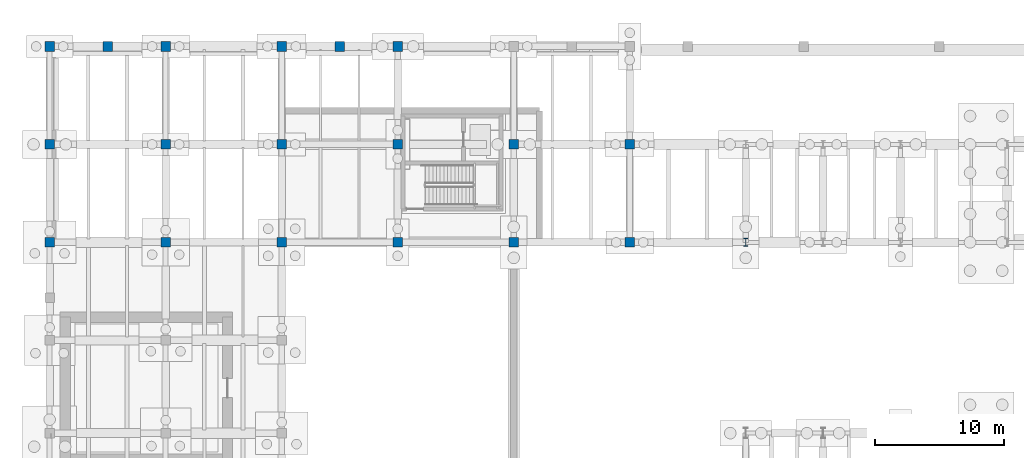
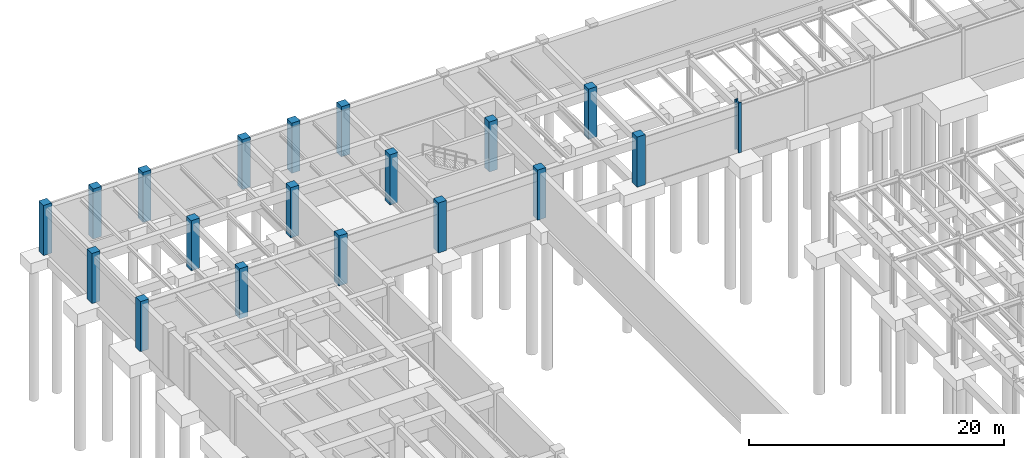
# One storey, part 22 of 59: 19 columns.
"""IFC4 building model written with IfcOpenShell, lengths in metres."""

import ifcopenshell
import ifcopenshell.guid

model = None  # the IFC model being written
_history = None  # IfcOwnerHistory: only IFC2X3 demands one
_inside = {}  # id of a spatial element -> (the spatial element, [elements in it])
_under = {}  # id of a project, library or spatial element -> (it, [spatial elements below it])
_declared = {}  # id of a project -> (the project, [libraries it declares])
_typed = {}  # id of a type object -> (the type object, [elements of that type])
_made_of = {}  # id of a material, layer set ... -> (it, [elements and type objects made of it])


def new_model(schema):
    """Start an empty IFC model of exactly this schema.

    Asked for "IFC4X3", IfcOpenShell would pick the latest addendum, in which some entities
    have other attributes; the version numbers below select the first issue.
    IFC2X3 requires an IfcOwnerHistory on every rooted entity: one is made here for all.
    """
    global model, _history
    if schema == "IFC4X3":
        model = ifcopenshell.file(schema_version=(4, 3, 0, 0))
    else:
        model = ifcopenshell.file(schema=schema)
    _inside.clear()
    _under.clear()
    _declared.clear()
    _typed.clear()
    _made_of.clear()
    _history = None
    if model.schema == "IFC2X3":
        org = make("IfcOrganization", Name="unknown")
        user = make(
            "IfcPersonAndOrganization",
            ThePerson=make("IfcPerson", FamilyName="unknown"),
            TheOrganization=org,
        )
        app = make(
            "IfcApplication",
            ApplicationDeveloper=org,
            Version="unknown",
            ApplicationFullName="unknown",
            ApplicationIdentifier="unknown",
        )
        _history = make(
            "IfcOwnerHistory",
            OwningUser=user,
            OwningApplication=app,
            ChangeAction="ADDED",
            CreationDate=0,
        )
    return model


def make(cls, **values):
    """One entity of the class cls with the attributes given. An attribute that is None is left unset."""
    return model.create_entity(
        cls, **{name: value for name, value in values.items() if value is not None}
    )


def rooted(cls, **values):
    """An entity with a GlobalId (a new one), such as an element, a storey or a relation."""
    return make(cls, GlobalId=ifcopenshell.guid.new(), OwnerHistory=_history, **values)


def si_unit(unit_type, name, prefix=None):
    """IfcSIUnit, for example si_unit("LENGTHUNIT", "METRE", prefix="MILLI")."""
    return make("IfcSIUnit", UnitType=unit_type, Prefix=prefix, Name=name)


def assignment(units):
    """IfcUnitAssignment: the units of a project."""
    return None if units is None else make("IfcUnitAssignment", Units=units)


def point(xyz):
    """IfcCartesianPoint."""
    return None if xyz is None else make("IfcCartesianPoint", Coordinates=xyz)


def direction(xyz):
    """IfcDirection."""
    return None if xyz is None else make("IfcDirection", DirectionRatios=xyz)


def frame(location, z_axis=None, x_axis=None):
    """IfcAxis2Placement3D, a coordinate frame: its origin and axes. An axis left out is left unset."""
    return make(
        "IfcAxis2Placement3D",
        Location=point(location),
        Axis=direction(z_axis),
        RefDirection=direction(x_axis),
    )


def frame_2d(location, x_axis=None):
    """IfcAxis2Placement2D, a coordinate frame in the plane: its origin and x axis."""
    return make(
        "IfcAxis2Placement2D", Location=point(location), RefDirection=direction(x_axis)
    )


def origin():
    """The frame at (0, 0, 0) with its axes left unset."""
    return frame((0.0, 0.0, 0.0))


def origin_2d():
    """The frame at (0, 0) in the plane with its x axis left unset."""
    return frame_2d((0.0, 0.0))


def place(relative_to, where):
    """IfcLocalPlacement: puts the frame where relative to a parent placement (None: the world)."""
    return make(
        "IfcLocalPlacement", PlacementRelTo=relative_to, RelativePlacement=where
    )


def context(
    kind, dimensions, precision=None, world=None, true_north=None, identifier=None
):
    """IfcGeometricRepresentationContext, for example the 3D "Model" context."""
    return make(
        "IfcGeometricRepresentationContext",
        ContextIdentifier=identifier,
        ContextType=kind,
        CoordinateSpaceDimension=dimensions,
        Precision=precision,
        WorldCoordinateSystem=world,
        TrueNorth=true_north,
    )


def subcontext(parent, identifier, kind, view, scale=None):
    """IfcGeometricRepresentationSubContext, for example "Body" below "Model"."""
    return make(
        "IfcGeometricRepresentationSubContext",
        ContextIdentifier=identifier,
        ContextType=kind,
        ParentContext=parent,
        TargetScale=scale,
        TargetView=view,
    )


def project(units=None, contexts=None):
    """IfcProject with its units and contexts."""
    return rooted(
        "IfcProject",
        Name="project",
        RepresentationContexts=contexts,
        UnitsInContext=assignment(units),
    )


def spatial(cls, under=None, at=None, **own):
    """A site, building, storey or space (cls), placed at a placement, below another one or the project."""
    s = rooted(cls, ObjectPlacement=at, **own)
    if under is not None:
        _under.setdefault(under.id(), (under, []))[1].append(s)
    return s


def profile(cls, at=None, kind="AREA", **sizes):
    """A parametric profile (cls). Its sizes go by their IFC names, for example OverallWidth=200.0."""
    return make(cls, ProfileType=kind, Position=at, **sizes)


def rectangle(**sizes):
    """IfcRectangleProfileDef."""
    return profile("IfcRectangleProfileDef", **sizes)


def i_section(**sizes):
    """IfcIShapeProfileDef."""
    return profile("IfcIShapeProfileDef", **sizes)


def extrude(swept, where, along, depth):
    """IfcExtrudedAreaSolid: the profile swept, set in the frame where, extruded along a direction by depth."""
    return make(
        "IfcExtrudedAreaSolid",
        SweptArea=swept,
        Position=where,
        ExtrudedDirection=direction(along),
        Depth=depth,
    )


def shape(context_of_items, identifier, shape_type, items):
    """IfcShapeRepresentation: the items that make up one representation, for example the "Body"."""
    return make(
        "IfcShapeRepresentation",
        ContextOfItems=context_of_items,
        RepresentationIdentifier=identifier,
        RepresentationType=shape_type,
        Items=items,
    )


def material(Name=None, Category=None):
    """IfcMaterial."""
    return make("IfcMaterial", Name=Name, Category=Category)


def material_profile(
    of_material, cross_section, Name=None, Category=None, Priority=None
):
    """IfcMaterialProfile: a cross section and its material."""
    return make(
        "IfcMaterialProfile",
        Name=Name,
        Material=of_material,
        Profile=cross_section,
        Priority=Priority,
        Category=Category,
    )


def profile_set(profiles, Name=None, composite=None):
    """IfcMaterialProfileSet."""
    return make(
        "IfcMaterialProfileSet",
        Name=Name,
        MaterialProfiles=profiles,
        CompositeProfile=composite,
    )


def made_of(thing, what):
    """Note that an element or type object is made of a material, layer set ...; save() writes the relation."""
    if what is not None:
        _made_of.setdefault(what.id(), (what, []))[1].append(thing)
    return thing


def type_object(cls, material=None, **own):
    """A type object (cls), such as IfcWallType, which elements share."""
    return made_of(rooted(cls, **own), material)


def element(
    cls,
    number,
    at=None,
    inside=None,
    cuts=None,
    type_object=None,
    material=None,
    context=None,
    identifier="Body",
    shape_type=None,
    held_by="IfcProductDefinitionShape",
    body=None,
    shapes=None,
    **own,
):
    """One element of the class cls, such as IfcWall. Its Tag is "e" and its number.

    at: its placement. inside: the storey or other place that contains it. cuts: it is an
    opening in that element (IfcRelVoidsElement). A single representation is given by context,
    identifier, shape_type and body (its items); several are given by shapes. held_by: the class
    of the entity that holds the representations. save() writes the other relations.
    """
    e = rooted(cls, Tag="e%d" % number, ObjectPlacement=at, **own)
    if body is not None:
        shapes = [shape(context, identifier, shape_type, body)]
    if shapes is not None:
        e.Representation = make(held_by, Representations=shapes)
    if inside is not None:
        _inside.setdefault(inside.id(), (inside, []))[1].append(e)
    if cuts is not None:
        rooted(
            "IfcRelVoidsElement", RelatingBuildingElement=cuts, RelatedOpeningElement=e
        )
    if type_object is not None:
        _typed.setdefault(type_object.id(), (type_object, []))[1].append(e)
    return made_of(e, material)


def aggregate(whole, parts):
    """IfcRelAggregates: a whole, such as a stair, and the parts it consists of."""
    return rooted("IfcRelAggregates", RelatingObject=whole, RelatedObjects=parts)


def save(model, path):
    """Write the relations noted so far, then the file.

    IfcRelAggregates (storeys below a building ...), IfcRelContainedInSpatialStructure (elements
    in a storey), IfcRelDefinesByType, IfcRelAssociatesMaterial and IfcRelDeclares: one each for
    every whole, place, type object, material and project.
    """
    for whole, parts in _under.values():
        aggregate(whole, parts)
    for where, things in _inside.values():
        rooted(
            "IfcRelContainedInSpatialStructure",
            RelatedElements=things,
            RelatingStructure=where,
        )
    for kind, things in _typed.values():
        rooted("IfcRelDefinesByType", RelatedObjects=things, RelatingType=kind)
    for what, things in _made_of.values():
        rooted("IfcRelAssociatesMaterial", RelatedObjects=things, RelatingMaterial=what)
    for by, libraries in _declared.values():
        rooted("IfcRelDeclares", RelatingContext=by, RelatedDefinitions=libraries)
    model.write(path)


model = new_model("IFC4")

# Units and contexts
model_context = context("Model", 3, precision=1e-05, world=origin(), true_north=direction((0.0, 1.0)))
body_context = subcontext(model_context, "Body", "Model", "MODEL_VIEW")
ifc_project = project(units=[si_unit("LENGTHUNIT", "METRE"), si_unit("AREAUNIT", "SQUARE_METRE"), si_unit("VOLUMEUNIT", "CUBIC_METRE"), si_unit("PLANEANGLEUNIT", "RADIAN"), si_unit("MASSUNIT", "GRAM", prefix="KILO")], contexts=[model_context])

# Site, building, storey
site_placement = place(None, origin())
site = spatial("IfcSite", under=ifc_project, at=site_placement, CompositionType="ELEMENT")
building_placement = place(site_placement, origin())
building = spatial("IfcBuilding", under=site, at=building_placement, Name="Montealbar Specialist Clinic", CompositionType="ELEMENT")
storey_placement = place(building_placement, frame((0.0, 0.0, -4.800048828125)))
storey = spatial("IfcBuildingStorey", under=building, at=storey_placement, Name="B01", CompositionType="ELEMENT", Elevation=-4.800048828125)

# Columns
ifc_material_1 = material(Name="Concrete C35/45", Category="concrete")
ifc_material_profile_1 = material_profile(ifc_material_1, rectangle(XDim=0.75, YDim=0.75, at=origin_2d()), Name="RC 750x750", Category="concrete")
ifc_profile_set_1 = profile_set([ifc_material_profile_1], Name="Concrete C35/45")
column_type_1 = type_object("IfcColumnType", Name="COL-RC-B01", PredefinedType="COLUMN", material=ifc_profile_set_1)
for number, where, z_axis, x_axis, name in (
    (1, (27.0, 103.39990234375, 0.0), (0.0, 0.0, 1.0), (1.0, 0.0, 0.0), "Column 4/N B01"),
    (2, (36.0, 103.39990234375, 0.0), (0.0, 0.0, 1.0), (1.0, 0.0, 0.0), "Column 5/N B01"),
):
    element("IfcColumn", number, at=place(storey_placement, frame(where, z_axis=z_axis, x_axis=x_axis)), inside=storey, type_object=column_type_1, Name=name, PredefinedType="COLUMN", context=body_context, shape_type="SweptSolid", body=[
        extrude(rectangle(XDim=0.75, YDim=0.75, at=origin_2d()), origin(), (0.0, 0.0, 1.0), 4.800048828125),
    ])
ifc_material_profile_2 = material_profile(ifc_material_1, rectangle(XDim=0.75, YDim=0.75, at=origin_2d()), Name="RC 750x750", Category="concrete")
ifc_profile_set_2 = profile_set([ifc_material_profile_2], Name="Concrete C35/45")
column_type_2 = type_object("IfcColumnType", Name="COL-RC-B01-EXT", PredefinedType="COLUMN", material=ifc_profile_set_2)
for number, where, z_axis, x_axis, name in (
    (3, (0.0, 95.800048828125, 0.0), (0.0, 0.0, 1.0), (1.0, 0.0, 0.0), "Column 1/M B01"),
    (4, (0.0, 103.39990234375, 0.0), (0.0, 0.0, 1.0), (1.0, 0.0, 0.0), "Column 1/N B01"),
    (5, (0.0, 111.0, 0.0), (0.0, 0.0, 1.0), (1.0, 0.0, 0.0), "Column 1/P B01"),
    (6, (9.0, 95.800048828125, 0.0), (0.0, 0.0, 1.0), (1.0, 0.0, 0.0), "Column 2/M B01"),
    (7, (9.0, 103.39990234375, 0.0), (0.0, 0.0, 1.0), (1.0, 0.0, 0.0), "Column 2/N B01"),
    (8, (9.0, 111.0, 0.0), (0.0, 0.0, 1.0), (1.0, 0.0, 0.0), "Column 2/P B01"),
    (9, (18.0, 95.800048828125, 0.0), (0.0, 0.0, 1.0), (1.0, 0.0, 0.0), "Column 3/M B01"),
    (10, (18.0, 103.39990234375, 0.0), (0.0, 0.0, 1.0), (1.0, 0.0, 0.0), "Column 3/N B01"),
    (11, (18.0, 111.0, 0.0), (0.0, 0.0, 1.0), (1.0, 0.0, 0.0), "Column 3/P B01"),
    (12, (27.0, 95.800048828125, 0.0), (0.0, 0.0, 1.0), (1.0, 0.0, 0.0), "Column 4/M B01"),
    (13, (27.0, 111.0, 0.0), (0.0, 0.0, 1.0), (1.0, 0.0, 0.0), "Column 4/P B01"),
    (14, (36.0, 95.800048828125, 0.0), (0.0, 0.0, 1.0), (1.0, 0.0, 0.0), "Column 5/M B01"),
    (15, (45.0, 95.800048828125, 0.0), (0.0, 0.0, 1.0), (1.0, 0.0, 0.0), "Column 6/M B01"),
    (16, (45.0, 103.39990234375, 0.0), (0.0, 0.0, 1.0), (1.0, 0.0, 0.0), "Column 6/N B01"),
):
    element("IfcColumn", number, at=place(storey_placement, frame(where, z_axis=z_axis, x_axis=x_axis)), inside=storey, type_object=column_type_2, Name=name, PredefinedType="COLUMN", context=body_context, shape_type="SweptSolid", body=[
        extrude(rectangle(XDim=0.75, YDim=0.75, at=origin_2d()), origin(), (0.0, 0.0, 1.0), 4.800048828125),
    ])
ifc_material_2 = material(Name="Steel S355", Category="steel")
ifc_material_profile_3 = material_profile(ifc_material_2, i_section(OverallWidth=0.300048828125, OverallDepth=0.60009765625, WebThickness=0.015380859375, FlangeThickness=0.030029296875, FilletRadius=0.027099609375, at=origin_2d()), Name="HEB 600", Category="steel")
ifc_profile_set_3 = profile_set([ifc_material_profile_3], Name="Steel S355")
column_type_3 = type_object("IfcColumnType", Name="COL-S-B01-STD-EXT", PredefinedType="COLUMN", material=ifc_profile_set_3)
column_placement = place(storey_placement, frame((54.0, 95.800048828125, 0.0), z_axis=(0.0, 0.0, 1.0), x_axis=(1.0, 0.0, 0.0)))
element("IfcColumn", 17, at=column_placement, inside=storey, type_object=column_type_3, Name="Column 7/M B01", PredefinedType="COLUMN", context=body_context, shape_type="SweptSolid", body=[
    extrude(i_section(OverallWidth=0.300048828125, OverallDepth=0.60009765625, WebThickness=0.015380859375, FlangeThickness=0.030029296875, FilletRadius=0.027099609375, at=origin_2d()), origin(), (0.0, 0.0, 1.0), 4.800048828125),
])
ifc_material_3 = material(Name="Guadarrama granite ashlar", Category="masonry")
ifc_material_profile_4 = material_profile(ifc_material_3, rectangle(XDim=0.75, YDim=0.75, at=origin_2d()), Name="GRANITE PILASTER 750x750", Category="masonry")
ifc_profile_set_4 = profile_set([ifc_material_profile_4], Name="Guadarrama granite ashlar")
column_type_4 = type_object("IfcColumnType", Name="PIL-PM-GIANT-INT", PredefinedType="PILASTER", material=ifc_profile_set_4)
for number, where, z_axis, x_axis, name in (
    (18, (4.5, 111.0, 0.0), (0.0, 0.0, 1.0), (1.0, 0.0, 0.0), "Column NP1/P B01"),
    (19, (22.5, 111.0, 0.0), (0.0, 0.0, 1.0), (1.0, 0.0, 0.0), "Column NP2/P B01"),
):
    element("IfcColumn", number, at=place(storey_placement, frame(where, z_axis=z_axis, x_axis=x_axis)), inside=storey, type_object=column_type_4, Name=name, PredefinedType="PILASTER", context=body_context, shape_type="SweptSolid", body=[
        extrude(rectangle(XDim=0.75, YDim=0.75, at=origin_2d()), origin(), (0.0, 0.0, 1.0), 4.800048828125),
    ])

save(model, "model.ifc")
